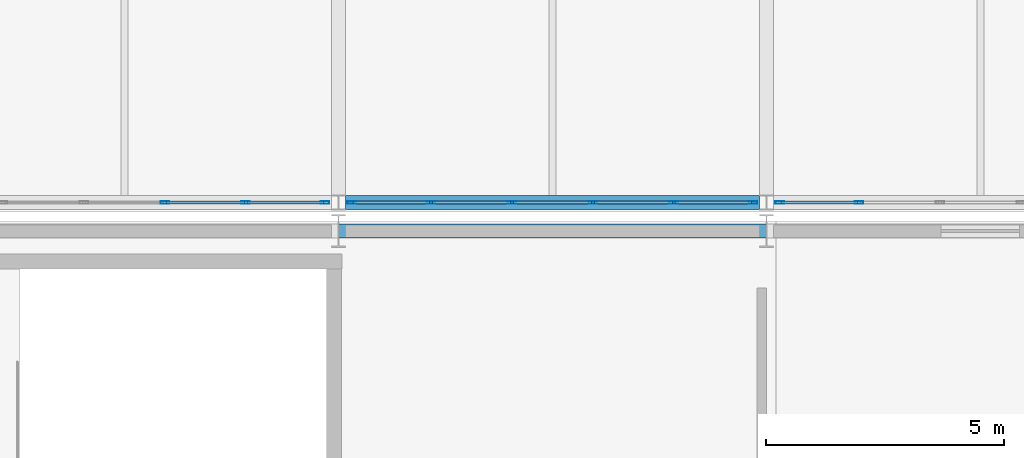
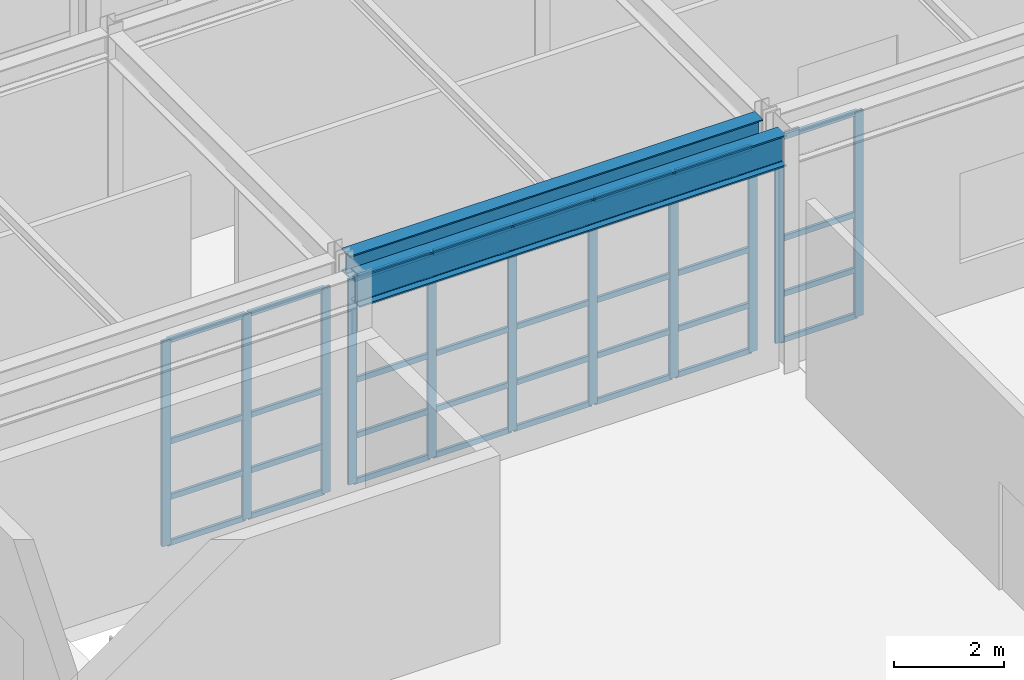
# One storey, part 27 of 239: 43 members, 2 beams, 3 elements without a shape of their own.
"""IFC4 building model written with IfcOpenShell, lengths in metres."""

from ifc_helpers import new_model, si_unit, direction, frame, origin, origin_2d, place, context, subcontext, project, spatial, hollow_rectangle, i_section, extrude, material, material_profile, profile_set, type_object, element, aggregate, save


model = new_model("IFC4")

# Units and contexts
model_context = context("Model", 3, precision=1e-05, world=origin(), true_north=direction((0.0, 1.0)))
body_context = subcontext(model_context, "Body", "Model", "MODEL_VIEW")
ifc_project = project(units=[si_unit("LENGTHUNIT", "METRE"), si_unit("AREAUNIT", "SQUARE_METRE"), si_unit("VOLUMEUNIT", "CUBIC_METRE"), si_unit("PLANEANGLEUNIT", "RADIAN"), si_unit("MASSUNIT", "GRAM", prefix="KILO")], contexts=[model_context])

# Site, building, storey
site_placement = place(None, origin())
site = spatial("IfcSite", under=ifc_project, at=site_placement, CompositionType="ELEMENT")
building_placement = place(site_placement, origin())
building = spatial("IfcBuilding", under=site, at=building_placement, Name="Kaldris Quays Convention Centre", CompositionType="ELEMENT")
storey_placement = place(building_placement, frame((0.0, 0.0, 11.39990234375)))
storey = spatial("IfcBuildingStorey", under=building, at=storey_placement, Name="L02", CompositionType="ELEMENT", Elevation=11.39990234375)

# Curtain wall, members
ifc_material_1 = material(Name="Anodized aluminium AW-6060 and triple glazing", Category="aluminium")
curtain_wall_type = type_object("IfcCurtainWallType", Name="UNITISED CURTAIN WALL CW02", PredefinedType="NOTDEFINED", material=ifc_material_1)
curtain_wall_1_placement = place(storey_placement, origin())
curtain_wall_1 = element("IfcCurtainWall", 1, at=curtain_wall_1_placement, inside=storey, type_object=curtain_wall_type, Name="L02 Unitised Curtain Wall CW02 99", PredefinedType="NOTDEFINED")
ifc_material_2 = material(Name="Anodized aluminium AW-6060", Category="aluminium")
ifc_material_profile_1 = material_profile(ifc_material_2, hollow_rectangle(XDim=0.06005859375, YDim=0.179931640625, WallThickness=0.0048828125, at=origin_2d()), Name="RHS 180x60x5")
ifc_profile_set_1 = profile_set([ifc_material_profile_1], Name="Anodized aluminium AW-6060")
member_type_1 = type_object("IfcMemberType", Name="CURTAIN MULLION CWM2", PredefinedType="MULLION", material=ifc_profile_set_1)
member_1_placement = place(storey_placement, frame((52.35009765625, 46.60009765625, 0.0), z_axis=(0.0, 0.0, 1.0), x_axis=(0.0, 1.0, 0.0)))
member_1 = element("IfcMember", 2, at=member_1_placement, type_object=member_type_1, Name="CW02 mullion 4", PredefinedType="MULLION", context=body_context, shape_type="SweptSolid", body=[
    extrude(hollow_rectangle(XDim=0.06005859375, YDim=0.179931640625, WallThickness=0.0048828125, at=origin_2d()), origin(), (0.0, 0.0, 1.0), 4.578125),
])
member_2_placement = place(storey_placement, frame((54.050048828125, 46.60009765625, 0.0), z_axis=(0.0, 0.0, 1.0), x_axis=(0.0, 1.0, 0.0)))
member_2 = element("IfcMember", 3, at=member_2_placement, type_object=member_type_1, Name="CW02 mullion 5", PredefinedType="MULLION", context=body_context, shape_type="SweptSolid", body=[
    extrude(hollow_rectangle(XDim=0.06005859375, YDim=0.179931640625, WallThickness=0.0048828125, at=origin_2d()), origin(), (0.0, 0.0, 1.0), 4.578125),
])
member_3_placement = place(storey_placement, frame((55.719970703125, 46.60009765625, 0.0), z_axis=(0.0, 0.0, 1.0), x_axis=(0.0, 1.0, 0.0)))
member_3 = element("IfcMember", 4, at=member_3_placement, type_object=member_type_1, Name="CW02 mullion 6", PredefinedType="MULLION", context=body_context, shape_type="SweptSolid", body=[
    extrude(hollow_rectangle(XDim=0.06005859375, YDim=0.179931640625, WallThickness=0.0048828125, at=origin_2d()), origin(), (0.0, 0.0, 1.0), 4.578125),
])

curtain_wall_2_placement = place(storey_placement, origin())
curtain_wall_2 = element("IfcCurtainWall", 5, at=curtain_wall_2_placement, inside=storey, type_object=curtain_wall_type, Name="L02 Unitised Curtain Wall CW02 100", PredefinedType="NOTDEFINED")
member_4_placement = place(storey_placement, frame((56.280029296875, 46.60009765625, 0.0), z_axis=(0.0, 0.0, 1.0), x_axis=(0.0, 1.0, 0.0)))
member_4 = element("IfcMember", 6, at=member_4_placement, type_object=member_type_1, Name="CW02 mullion 1", PredefinedType="MULLION", context=body_context, shape_type="SweptSolid", body=[
    extrude(hollow_rectangle(XDim=0.06005859375, YDim=0.179931640625, WallThickness=0.0048828125, at=origin_2d()), origin(), (0.0, 0.0, 1.0), 4.578125),
])
member_5_placement = place(storey_placement, frame((57.949951171875, 46.60009765625, 0.0), z_axis=(0.0, 0.0, 1.0), x_axis=(0.0, 1.0, 0.0)))
member_5 = element("IfcMember", 7, at=member_5_placement, type_object=member_type_1, Name="CW02 mullion 2", PredefinedType="MULLION", context=body_context, shape_type="SweptSolid", body=[
    extrude(hollow_rectangle(XDim=0.06005859375, YDim=0.179931640625, WallThickness=0.0048828125, at=origin_2d()), origin(), (0.0, 0.0, 1.0), 4.578125),
])
member_6_placement = place(storey_placement, frame((59.64990234375, 46.60009765625, 0.0), z_axis=(0.0, 0.0, 1.0), x_axis=(0.0, 1.0, 0.0)))
member_6 = element("IfcMember", 8, at=member_6_placement, type_object=member_type_1, Name="CW02 mullion 3", PredefinedType="MULLION", context=body_context, shape_type="SweptSolid", body=[
    extrude(hollow_rectangle(XDim=0.06005859375, YDim=0.179931640625, WallThickness=0.0048828125, at=origin_2d()), origin(), (0.0, 0.0, 1.0), 4.578125),
])
member_7_placement = place(storey_placement, frame((61.35009765625, 46.60009765625, 0.0), z_axis=(0.0, 0.0, 1.0), x_axis=(0.0, 1.0, 0.0)))
member_7 = element("IfcMember", 9, at=member_7_placement, type_object=member_type_1, Name="CW02 mullion 4", PredefinedType="MULLION", context=body_context, shape_type="SweptSolid", body=[
    extrude(hollow_rectangle(XDim=0.06005859375, YDim=0.179931640625, WallThickness=0.0048828125, at=origin_2d()), origin(), (0.0, 0.0, 1.0), 4.578125),
])
member_8_placement = place(storey_placement, frame((63.050048828125, 46.60009765625, 0.0), z_axis=(0.0, 0.0, 1.0), x_axis=(0.0, 1.0, 0.0)))
member_8 = element("IfcMember", 10, at=member_8_placement, type_object=member_type_1, Name="CW02 mullion 5", PredefinedType="MULLION", context=body_context, shape_type="SweptSolid", body=[
    extrude(hollow_rectangle(XDim=0.06005859375, YDim=0.179931640625, WallThickness=0.0048828125, at=origin_2d()), origin(), (0.0, 0.0, 1.0), 4.578125),
])
member_9_placement = place(storey_placement, frame((64.719970703125, 46.60009765625, 0.0), z_axis=(0.0, 0.0, 1.0), x_axis=(0.0, 1.0, 0.0)))
member_9 = element("IfcMember", 11, at=member_9_placement, type_object=member_type_1, Name="CW02 mullion 6", PredefinedType="MULLION", context=body_context, shape_type="SweptSolid", body=[
    extrude(hollow_rectangle(XDim=0.06005859375, YDim=0.179931640625, WallThickness=0.0048828125, at=origin_2d()), origin(), (0.0, 0.0, 1.0), 4.578125),
])

curtain_wall_3_placement = place(storey_placement, origin())
curtain_wall_3 = element("IfcCurtainWall", 12, at=curtain_wall_3_placement, inside=storey, type_object=curtain_wall_type, Name="L02 Unitised Curtain Wall CW02 101", PredefinedType="NOTDEFINED")
member_10_placement = place(storey_placement, frame((65.280029296875, 46.60009765625, 0.0), z_axis=(0.0, 0.0, 1.0), x_axis=(0.0, 1.0, 0.0)))
member_10 = element("IfcMember", 13, at=member_10_placement, type_object=member_type_1, Name="CW02 mullion 1", PredefinedType="MULLION", context=body_context, shape_type="SweptSolid", body=[
    extrude(hollow_rectangle(XDim=0.06005859375, YDim=0.179931640625, WallThickness=0.0048828125, at=origin_2d()), origin(), (0.0, 0.0, 1.0), 4.578125),
])
member_11_placement = place(storey_placement, frame((66.949951171875, 46.60009765625, 0.0), z_axis=(0.0, 0.0, 1.0), x_axis=(0.0, 1.0, 0.0)))
member_11 = element("IfcMember", 14, at=member_11_placement, type_object=member_type_1, Name="CW02 mullion 2", PredefinedType="MULLION", context=body_context, shape_type="SweptSolid", body=[
    extrude(hollow_rectangle(XDim=0.06005859375, YDim=0.179931640625, WallThickness=0.0048828125, at=origin_2d()), origin(), (0.0, 0.0, 1.0), 4.578125),
])

# Member
ifc_material_profile_2 = material_profile(ifc_material_2, hollow_rectangle(XDim=0.06005859375, YDim=0.1201171875, WallThickness=0.00390625, at=origin_2d()), Name="RHS 120x60x4")
ifc_profile_set_2 = profile_set([ifc_material_profile_2], Name="Anodized aluminium AW-6060")
member_type_2 = type_object("IfcMemberType", Name="CURTAIN TRANSOM CWT1", PredefinedType="USERDEFINED", material=ifc_profile_set_2)
member_12_placement = place(storey_placement, frame((52.3798828125, 46.60009765625, 0.030029296875), z_axis=(1.0, 0.0, 0.0), x_axis=(0.0, 1.0, 0.0)))
member_12 = element("IfcMember", 15, at=member_12_placement, type_object=member_type_2, Name="CW02 transom 4.1", ObjectType="TRANSOM", PredefinedType="USERDEFINED", context=body_context, shape_type="SweptSolid", body=[
    extrude(hollow_rectangle(XDim=0.06005859375, YDim=0.1201171875, WallThickness=0.00390625, at=origin_2d()), origin(), (0.0, 0.0, 1.0), 1.64013671875),
])

member_13_placement = place(storey_placement, frame((52.3798828125, 46.60009765625, 1.050048828125), z_axis=(1.0, 0.0, 0.0), x_axis=(0.0, 1.0, 0.0)))
member_13 = element("IfcMember", 16, at=member_13_placement, type_object=member_type_2, Name="CW02 transom 4.2", ObjectType="TRANSOM", PredefinedType="USERDEFINED", context=body_context, shape_type="SweptSolid", body=[
    extrude(hollow_rectangle(XDim=0.06005859375, YDim=0.1201171875, WallThickness=0.00390625, at=origin_2d()), origin(), (0.0, 0.0, 1.0), 1.64013671875),
])

member_14_placement = place(storey_placement, frame((52.3798828125, 46.60009765625, 2.2890625), z_axis=(1.0, 0.0, 0.0), x_axis=(0.0, 1.0, 0.0)))
member_14 = element("IfcMember", 17, at=member_14_placement, type_object=member_type_2, Name="CW02 transom 4.3", ObjectType="TRANSOM", PredefinedType="USERDEFINED", context=body_context, shape_type="SweptSolid", body=[
    extrude(hollow_rectangle(XDim=0.06005859375, YDim=0.1201171875, WallThickness=0.00390625, at=origin_2d()), origin(), (0.0, 0.0, 1.0), 1.64013671875),
])

member_15_placement = place(storey_placement, frame((52.3798828125, 46.60009765625, 4.548095703125), z_axis=(1.0, 0.0, 0.0), x_axis=(0.0, 1.0, 0.0)))
member_15 = element("IfcMember", 18, at=member_15_placement, type_object=member_type_2, Name="CW02 transom 4.4", ObjectType="TRANSOM", PredefinedType="USERDEFINED", context=body_context, shape_type="SweptSolid", body=[
    extrude(hollow_rectangle(XDim=0.06005859375, YDim=0.1201171875, WallThickness=0.00390625, at=origin_2d()), origin(), (0.0, 0.0, 1.0), 1.64013671875),
])

member_16_placement = place(storey_placement, frame((54.080078125, 46.60009765625, 0.030029296875), z_axis=(1.0, 0.0, 0.0), x_axis=(0.0, 1.0, 0.0)))
member_16 = element("IfcMember", 19, at=member_16_placement, type_object=member_type_2, Name="CW02 transom 5.1", ObjectType="TRANSOM", PredefinedType="USERDEFINED", context=body_context, shape_type="SweptSolid", body=[
    extrude(hollow_rectangle(XDim=0.06005859375, YDim=0.1201171875, WallThickness=0.00390625, at=origin_2d()), origin(), (0.0, 0.0, 1.0), 1.60986328125),
])

member_17_placement = place(storey_placement, frame((54.080078125, 46.60009765625, 1.050048828125), z_axis=(1.0, 0.0, 0.0), x_axis=(0.0, 1.0, 0.0)))
member_17 = element("IfcMember", 20, at=member_17_placement, type_object=member_type_2, Name="CW02 transom 5.2", ObjectType="TRANSOM", PredefinedType="USERDEFINED", context=body_context, shape_type="SweptSolid", body=[
    extrude(hollow_rectangle(XDim=0.06005859375, YDim=0.1201171875, WallThickness=0.00390625, at=origin_2d()), origin(), (0.0, 0.0, 1.0), 1.60986328125),
])

member_18_placement = place(storey_placement, frame((54.080078125, 46.60009765625, 2.2890625), z_axis=(1.0, 0.0, 0.0), x_axis=(0.0, 1.0, 0.0)))
member_18 = element("IfcMember", 21, at=member_18_placement, type_object=member_type_2, Name="CW02 transom 5.3", ObjectType="TRANSOM", PredefinedType="USERDEFINED", context=body_context, shape_type="SweptSolid", body=[
    extrude(hollow_rectangle(XDim=0.06005859375, YDim=0.1201171875, WallThickness=0.00390625, at=origin_2d()), origin(), (0.0, 0.0, 1.0), 1.60986328125),
])

member_19_placement = place(storey_placement, frame((54.080078125, 46.60009765625, 4.548095703125), z_axis=(1.0, 0.0, 0.0), x_axis=(0.0, 1.0, 0.0)))
member_19 = element("IfcMember", 22, at=member_19_placement, type_object=member_type_2, Name="CW02 transom 5.4", ObjectType="TRANSOM", PredefinedType="USERDEFINED", context=body_context, shape_type="SweptSolid", body=[
    extrude(hollow_rectangle(XDim=0.06005859375, YDim=0.1201171875, WallThickness=0.00390625, at=origin_2d()), origin(), (0.0, 0.0, 1.0), 1.60986328125),
])

aggregate(curtain_wall_1, [member_1, member_2, member_3, member_12, member_13, member_14, member_15, member_16, member_17, member_18, member_19])

member_20_placement = place(storey_placement, frame((56.31005859375, 46.60009765625, 0.030029296875), z_axis=(1.0, 0.0, 0.0), x_axis=(0.0, 1.0, 0.0)))
member_20 = element("IfcMember", 23, at=member_20_placement, type_object=member_type_2, Name="CW02 transom 1.1", ObjectType="TRANSOM", PredefinedType="USERDEFINED", context=body_context, shape_type="SweptSolid", body=[
    extrude(hollow_rectangle(XDim=0.06005859375, YDim=0.1201171875, WallThickness=0.00390625, at=origin_2d()), origin(), (0.0, 0.0, 1.0), 1.60986328125),
])

member_21_placement = place(storey_placement, frame((56.31005859375, 46.60009765625, 1.050048828125), z_axis=(1.0, 0.0, 0.0), x_axis=(0.0, 1.0, 0.0)))
member_21 = element("IfcMember", 24, at=member_21_placement, type_object=member_type_2, Name="CW02 transom 1.2", ObjectType="TRANSOM", PredefinedType="USERDEFINED", context=body_context, shape_type="SweptSolid", body=[
    extrude(hollow_rectangle(XDim=0.06005859375, YDim=0.1201171875, WallThickness=0.00390625, at=origin_2d()), origin(), (0.0, 0.0, 1.0), 1.60986328125),
])

member_22_placement = place(storey_placement, frame((56.31005859375, 46.60009765625, 2.2890625), z_axis=(1.0, 0.0, 0.0), x_axis=(0.0, 1.0, 0.0)))
member_22 = element("IfcMember", 25, at=member_22_placement, type_object=member_type_2, Name="CW02 transom 1.3", ObjectType="TRANSOM", PredefinedType="USERDEFINED", context=body_context, shape_type="SweptSolid", body=[
    extrude(hollow_rectangle(XDim=0.06005859375, YDim=0.1201171875, WallThickness=0.00390625, at=origin_2d()), origin(), (0.0, 0.0, 1.0), 1.60986328125),
])

member_23_placement = place(storey_placement, frame((56.31005859375, 46.60009765625, 4.548095703125), z_axis=(1.0, 0.0, 0.0), x_axis=(0.0, 1.0, 0.0)))
member_23 = element("IfcMember", 26, at=member_23_placement, type_object=member_type_2, Name="CW02 transom 1.4", ObjectType="TRANSOM", PredefinedType="USERDEFINED", context=body_context, shape_type="SweptSolid", body=[
    extrude(hollow_rectangle(XDim=0.06005859375, YDim=0.1201171875, WallThickness=0.00390625, at=origin_2d()), origin(), (0.0, 0.0, 1.0), 1.60986328125),
])

member_24_placement = place(storey_placement, frame((57.97998046875, 46.60009765625, 0.030029296875), z_axis=(1.0, 0.0, 0.0), x_axis=(0.0, 1.0, 0.0)))
member_24 = element("IfcMember", 27, at=member_24_placement, type_object=member_type_2, Name="CW02 transom 2.1", ObjectType="TRANSOM", PredefinedType="USERDEFINED", context=body_context, shape_type="SweptSolid", body=[
    extrude(hollow_rectangle(XDim=0.06005859375, YDim=0.1201171875, WallThickness=0.00390625, at=origin_2d()), origin(), (0.0, 0.0, 1.0), 1.64013671875),
])

member_25_placement = place(storey_placement, frame((57.97998046875, 46.60009765625, 1.050048828125), z_axis=(1.0, 0.0, 0.0), x_axis=(0.0, 1.0, 0.0)))
member_25 = element("IfcMember", 28, at=member_25_placement, type_object=member_type_2, Name="CW02 transom 2.2", ObjectType="TRANSOM", PredefinedType="USERDEFINED", context=body_context, shape_type="SweptSolid", body=[
    extrude(hollow_rectangle(XDim=0.06005859375, YDim=0.1201171875, WallThickness=0.00390625, at=origin_2d()), origin(), (0.0, 0.0, 1.0), 1.64013671875),
])

member_26_placement = place(storey_placement, frame((57.97998046875, 46.60009765625, 2.2890625), z_axis=(1.0, 0.0, 0.0), x_axis=(0.0, 1.0, 0.0)))
member_26 = element("IfcMember", 29, at=member_26_placement, type_object=member_type_2, Name="CW02 transom 2.3", ObjectType="TRANSOM", PredefinedType="USERDEFINED", context=body_context, shape_type="SweptSolid", body=[
    extrude(hollow_rectangle(XDim=0.06005859375, YDim=0.1201171875, WallThickness=0.00390625, at=origin_2d()), origin(), (0.0, 0.0, 1.0), 1.64013671875),
])

member_27_placement = place(storey_placement, frame((57.97998046875, 46.60009765625, 4.548095703125), z_axis=(1.0, 0.0, 0.0), x_axis=(0.0, 1.0, 0.0)))
member_27 = element("IfcMember", 30, at=member_27_placement, type_object=member_type_2, Name="CW02 transom 2.4", ObjectType="TRANSOM", PredefinedType="USERDEFINED", context=body_context, shape_type="SweptSolid", body=[
    extrude(hollow_rectangle(XDim=0.06005859375, YDim=0.1201171875, WallThickness=0.00390625, at=origin_2d()), origin(), (0.0, 0.0, 1.0), 1.64013671875),
])

member_28_placement = place(storey_placement, frame((59.679931640625, 46.60009765625, 0.030029296875), z_axis=(1.0, 0.0, 0.0), x_axis=(0.0, 1.0, 0.0)))
member_28 = element("IfcMember", 31, at=member_28_placement, type_object=member_type_2, Name="CW02 transom 3.1", ObjectType="TRANSOM", PredefinedType="USERDEFINED", context=body_context, shape_type="SweptSolid", body=[
    extrude(hollow_rectangle(XDim=0.06005859375, YDim=0.1201171875, WallThickness=0.00390625, at=origin_2d()), origin(), (0.0, 0.0, 1.0), 1.64013671875),
])

member_29_placement = place(storey_placement, frame((59.679931640625, 46.60009765625, 1.050048828125), z_axis=(1.0, 0.0, 0.0), x_axis=(0.0, 1.0, 0.0)))
member_29 = element("IfcMember", 32, at=member_29_placement, type_object=member_type_2, Name="CW02 transom 3.2", ObjectType="TRANSOM", PredefinedType="USERDEFINED", context=body_context, shape_type="SweptSolid", body=[
    extrude(hollow_rectangle(XDim=0.06005859375, YDim=0.1201171875, WallThickness=0.00390625, at=origin_2d()), origin(), (0.0, 0.0, 1.0), 1.64013671875),
])

member_30_placement = place(storey_placement, frame((59.679931640625, 46.60009765625, 2.2890625), z_axis=(1.0, 0.0, 0.0), x_axis=(0.0, 1.0, 0.0)))
member_30 = element("IfcMember", 33, at=member_30_placement, type_object=member_type_2, Name="CW02 transom 3.3", ObjectType="TRANSOM", PredefinedType="USERDEFINED", context=body_context, shape_type="SweptSolid", body=[
    extrude(hollow_rectangle(XDim=0.06005859375, YDim=0.1201171875, WallThickness=0.00390625, at=origin_2d()), origin(), (0.0, 0.0, 1.0), 1.64013671875),
])

member_31_placement = place(storey_placement, frame((59.679931640625, 46.60009765625, 4.548095703125), z_axis=(1.0, 0.0, 0.0), x_axis=(0.0, 1.0, 0.0)))
member_31 = element("IfcMember", 34, at=member_31_placement, type_object=member_type_2, Name="CW02 transom 3.4", ObjectType="TRANSOM", PredefinedType="USERDEFINED", context=body_context, shape_type="SweptSolid", body=[
    extrude(hollow_rectangle(XDim=0.06005859375, YDim=0.1201171875, WallThickness=0.00390625, at=origin_2d()), origin(), (0.0, 0.0, 1.0), 1.64013671875),
])

member_32_placement = place(storey_placement, frame((61.3798828125, 46.60009765625, 0.030029296875), z_axis=(1.0, 0.0, 0.0), x_axis=(0.0, 1.0, 0.0)))
member_32 = element("IfcMember", 35, at=member_32_placement, type_object=member_type_2, Name="CW02 transom 4.1", ObjectType="TRANSOM", PredefinedType="USERDEFINED", context=body_context, shape_type="SweptSolid", body=[
    extrude(hollow_rectangle(XDim=0.06005859375, YDim=0.1201171875, WallThickness=0.00390625, at=origin_2d()), origin(), (0.0, 0.0, 1.0), 1.64013671875),
])

member_33_placement = place(storey_placement, frame((61.3798828125, 46.60009765625, 1.050048828125), z_axis=(1.0, 0.0, 0.0), x_axis=(0.0, 1.0, 0.0)))
member_33 = element("IfcMember", 36, at=member_33_placement, type_object=member_type_2, Name="CW02 transom 4.2", ObjectType="TRANSOM", PredefinedType="USERDEFINED", context=body_context, shape_type="SweptSolid", body=[
    extrude(hollow_rectangle(XDim=0.06005859375, YDim=0.1201171875, WallThickness=0.00390625, at=origin_2d()), origin(), (0.0, 0.0, 1.0), 1.64013671875),
])

member_34_placement = place(storey_placement, frame((61.3798828125, 46.60009765625, 2.2890625), z_axis=(1.0, 0.0, 0.0), x_axis=(0.0, 1.0, 0.0)))
member_34 = element("IfcMember", 37, at=member_34_placement, type_object=member_type_2, Name="CW02 transom 4.3", ObjectType="TRANSOM", PredefinedType="USERDEFINED", context=body_context, shape_type="SweptSolid", body=[
    extrude(hollow_rectangle(XDim=0.06005859375, YDim=0.1201171875, WallThickness=0.00390625, at=origin_2d()), origin(), (0.0, 0.0, 1.0), 1.64013671875),
])

member_35_placement = place(storey_placement, frame((61.3798828125, 46.60009765625, 4.548095703125), z_axis=(1.0, 0.0, 0.0), x_axis=(0.0, 1.0, 0.0)))
member_35 = element("IfcMember", 38, at=member_35_placement, type_object=member_type_2, Name="CW02 transom 4.4", ObjectType="TRANSOM", PredefinedType="USERDEFINED", context=body_context, shape_type="SweptSolid", body=[
    extrude(hollow_rectangle(XDim=0.06005859375, YDim=0.1201171875, WallThickness=0.00390625, at=origin_2d()), origin(), (0.0, 0.0, 1.0), 1.64013671875),
])

member_36_placement = place(storey_placement, frame((63.080078125, 46.60009765625, 0.030029296875), z_axis=(1.0, 0.0, 0.0), x_axis=(0.0, 1.0, 0.0)))
member_36 = element("IfcMember", 39, at=member_36_placement, type_object=member_type_2, Name="CW02 transom 5.1", ObjectType="TRANSOM", PredefinedType="USERDEFINED", context=body_context, shape_type="SweptSolid", body=[
    extrude(hollow_rectangle(XDim=0.06005859375, YDim=0.1201171875, WallThickness=0.00390625, at=origin_2d()), origin(), (0.0, 0.0, 1.0), 1.60986328125),
])

member_37_placement = place(storey_placement, frame((63.080078125, 46.60009765625, 1.050048828125), z_axis=(1.0, 0.0, 0.0), x_axis=(0.0, 1.0, 0.0)))
member_37 = element("IfcMember", 40, at=member_37_placement, type_object=member_type_2, Name="CW02 transom 5.2", ObjectType="TRANSOM", PredefinedType="USERDEFINED", context=body_context, shape_type="SweptSolid", body=[
    extrude(hollow_rectangle(XDim=0.06005859375, YDim=0.1201171875, WallThickness=0.00390625, at=origin_2d()), origin(), (0.0, 0.0, 1.0), 1.60986328125),
])

member_38_placement = place(storey_placement, frame((63.080078125, 46.60009765625, 2.2890625), z_axis=(1.0, 0.0, 0.0), x_axis=(0.0, 1.0, 0.0)))
member_38 = element("IfcMember", 41, at=member_38_placement, type_object=member_type_2, Name="CW02 transom 5.3", ObjectType="TRANSOM", PredefinedType="USERDEFINED", context=body_context, shape_type="SweptSolid", body=[
    extrude(hollow_rectangle(XDim=0.06005859375, YDim=0.1201171875, WallThickness=0.00390625, at=origin_2d()), origin(), (0.0, 0.0, 1.0), 1.60986328125),
])

member_39_placement = place(storey_placement, frame((63.080078125, 46.60009765625, 4.548095703125), z_axis=(1.0, 0.0, 0.0), x_axis=(0.0, 1.0, 0.0)))
member_39 = element("IfcMember", 42, at=member_39_placement, type_object=member_type_2, Name="CW02 transom 5.4", ObjectType="TRANSOM", PredefinedType="USERDEFINED", context=body_context, shape_type="SweptSolid", body=[
    extrude(hollow_rectangle(XDim=0.06005859375, YDim=0.1201171875, WallThickness=0.00390625, at=origin_2d()), origin(), (0.0, 0.0, 1.0), 1.60986328125),
])

aggregate(curtain_wall_2, [member_4, member_5, member_6, member_7, member_8, member_9, member_20, member_21, member_22, member_23, member_24, member_25, member_26, member_27, member_28, member_29, member_30, member_31, member_32, member_33, member_34, member_35, member_36, member_37, member_38, member_39])

member_40_placement = place(storey_placement, frame((65.31005859375, 46.60009765625, 0.030029296875), z_axis=(1.0, 0.0, 0.0), x_axis=(0.0, 1.0, 0.0)))
member_40 = element("IfcMember", 43, at=member_40_placement, type_object=member_type_2, Name="CW02 transom 1.1", ObjectType="TRANSOM", PredefinedType="USERDEFINED", context=body_context, shape_type="SweptSolid", body=[
    extrude(hollow_rectangle(XDim=0.06005859375, YDim=0.1201171875, WallThickness=0.00390625, at=origin_2d()), origin(), (0.0, 0.0, 1.0), 1.60986328125),
])

member_41_placement = place(storey_placement, frame((65.31005859375, 46.60009765625, 1.050048828125), z_axis=(1.0, 0.0, 0.0), x_axis=(0.0, 1.0, 0.0)))
member_41 = element("IfcMember", 44, at=member_41_placement, type_object=member_type_2, Name="CW02 transom 1.2", ObjectType="TRANSOM", PredefinedType="USERDEFINED", context=body_context, shape_type="SweptSolid", body=[
    extrude(hollow_rectangle(XDim=0.06005859375, YDim=0.1201171875, WallThickness=0.00390625, at=origin_2d()), origin(), (0.0, 0.0, 1.0), 1.60986328125),
])

member_42_placement = place(storey_placement, frame((65.31005859375, 46.60009765625, 2.2890625), z_axis=(1.0, 0.0, 0.0), x_axis=(0.0, 1.0, 0.0)))
member_42 = element("IfcMember", 45, at=member_42_placement, type_object=member_type_2, Name="CW02 transom 1.3", ObjectType="TRANSOM", PredefinedType="USERDEFINED", context=body_context, shape_type="SweptSolid", body=[
    extrude(hollow_rectangle(XDim=0.06005859375, YDim=0.1201171875, WallThickness=0.00390625, at=origin_2d()), origin(), (0.0, 0.0, 1.0), 1.60986328125),
])

member_43_placement = place(storey_placement, frame((65.31005859375, 46.60009765625, 4.548095703125), z_axis=(1.0, 0.0, 0.0), x_axis=(0.0, 1.0, 0.0)))
member_43 = element("IfcMember", 46, at=member_43_placement, type_object=member_type_2, Name="CW02 transom 1.4", ObjectType="TRANSOM", PredefinedType="USERDEFINED", context=body_context, shape_type="SweptSolid", body=[
    extrude(hollow_rectangle(XDim=0.06005859375, YDim=0.1201171875, WallThickness=0.00390625, at=origin_2d()), origin(), (0.0, 0.0, 1.0), 1.60986328125),
])

aggregate(curtain_wall_3, [member_10, member_11, member_40, member_41, member_42, member_43])

# Beams
ifc_material_3 = material(Name="Steel S355J2", Category="steel")
ifc_material_profile_3 = material_profile(ifc_material_3, i_section(OverallWidth=0.300048828125, OverallDepth=0.699951171875, WebThickness=0.01708984375, FlangeThickness=0.031982421875, FilletRadius=0.027099609375, at=origin_2d()), Name="HEB 700")
ifc_profile_set_3 = profile_set([ifc_material_profile_3], Name="Steel S355J2")
beam_type_1 = type_object("IfcBeamType", Name="STRUCTURAL BEAM BM04", PredefinedType="BEAM", material=ifc_profile_set_3)
beam_1_placement = place(storey_placement, frame((56.00244140625, 46.0, 4.81298828125), z_axis=(1.0, 0.0, 0.0), x_axis=(0.0, 1.0, 0.0)))
element("IfcBeam", 47, at=beam_1_placement, inside=storey, type_object=beam_type_1, Name="L02 Girder BM04 12", PredefinedType="BEAM", context=body_context, shape_type="SweptSolid", body=[
    extrude(i_section(OverallWidth=0.300048828125, OverallDepth=0.699951171875, WebThickness=0.01708984375, FlangeThickness=0.031982421875, FilletRadius=0.027099609375, at=origin_2d()), origin(), (0.0, 0.0, 1.0), 8.9951171875),
])
ifc_material_profile_4 = material_profile(ifc_material_3, i_section(OverallWidth=0.300048828125, OverallDepth=0.5, WebThickness=0.014404296875, FlangeThickness=0.028076171875, FilletRadius=0.027099609375, at=origin_2d()), Name="HEB 500")
ifc_profile_set_4 = profile_set([ifc_material_profile_4], Name="Steel S355J2")
beam_type_2 = type_object("IfcBeamType", Name="STRUCTURAL BEAM BM06", PredefinedType="BEAM", material=ifc_profile_set_4)
beam_2_placement = place(storey_placement, frame((56.14404296875, 46.60009765625, 4.943115234375), z_axis=(1.0, 0.0, 0.0), x_axis=(0.0, 1.0, 0.0)))
element("IfcBeam", 48, at=beam_2_placement, inside=storey, type_object=beam_type_2, Name="L02 Girder BM06 4", PredefinedType="BEAM", context=body_context, shape_type="SweptSolid", body=[
    extrude(i_section(OverallWidth=0.300048828125, OverallDepth=0.5, WebThickness=0.014404296875, FlangeThickness=0.028076171875, FilletRadius=0.027099609375, at=origin_2d()), origin(), (0.0, 0.0, 1.0), 8.7119140625),
])

save(model, "model.ifc")
